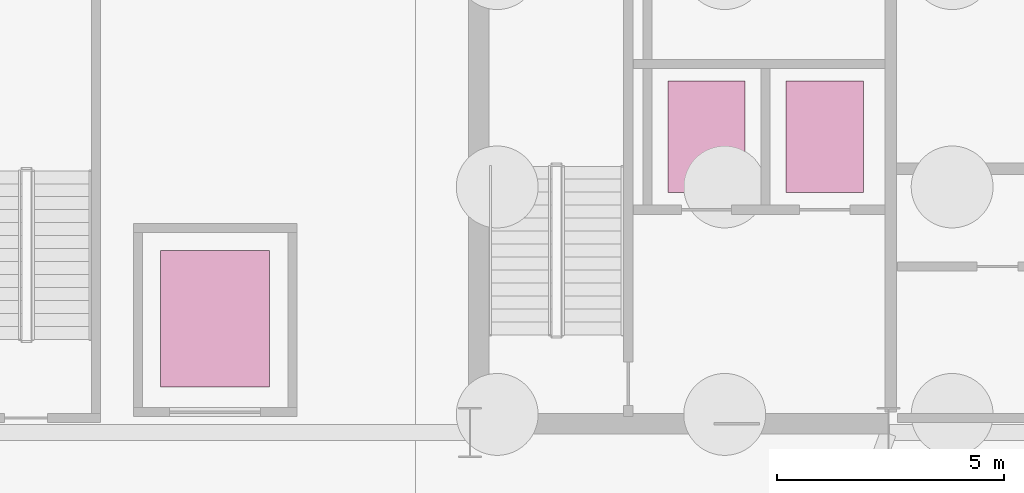
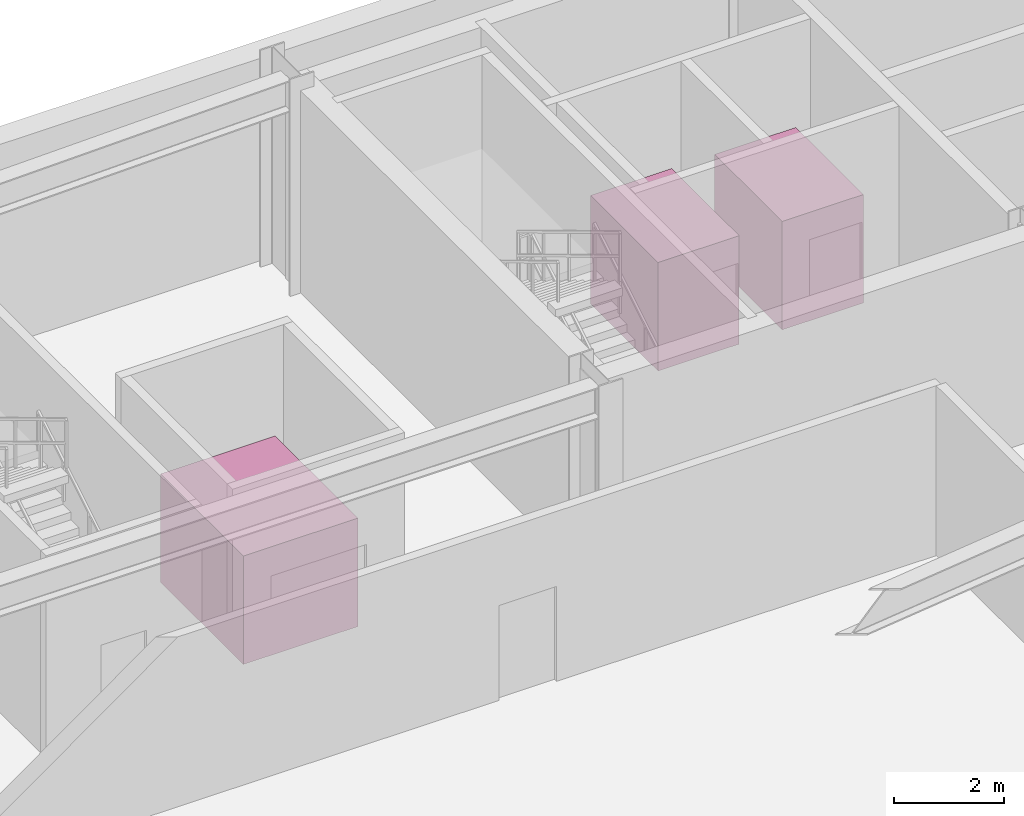
# One storey, part 12 of 12: 3 transport elements.
"""IFC4 building model written with IfcOpenShell, lengths in metres."""

from ifc_helpers import new_model, si_unit, direction, frame, origin, origin_2d, place, context, subcontext, project, spatial, rectangle, extrude, source, transform, mapped, material, type_object, type_shapes, element, save


model = new_model("IFC4")

# Units and contexts
model_context = context("Model", 3, precision=1e-05, world=origin(), true_north=direction((0.0, 1.0)))
body_context = subcontext(model_context, "Body", "Model", "MODEL_VIEW")
ifc_project = project(units=[si_unit("LENGTHUNIT", "METRE"), si_unit("AREAUNIT", "SQUARE_METRE"), si_unit("VOLUMEUNIT", "CUBIC_METRE"), si_unit("PLANEANGLEUNIT", "RADIAN"), si_unit("MASSUNIT", "GRAM", prefix="KILO")], contexts=[model_context])

# Site, building, storey
site_placement = place(None, origin())
site = spatial("IfcSite", under=ifc_project, at=site_placement, CompositionType="ELEMENT")
building_placement = place(site_placement, origin())
building = spatial("IfcBuilding", under=site, at=building_placement, Name="Varnel Quay Broadcast Tower", CompositionType="ELEMENT")
storey_placement = place(building_placement, frame((0.0, 0.0, -9.60009765625)))
storey = spatial("IfcBuildingStorey", under=building, at=storey_placement, Name="B2", CompositionType="ELEMENT", Elevation=-9.60009765625)

# Transport elements
ifc_material = material(Name="Brushed Bronze-Stainless Lift Car & Sliding Doors")
transport_element_type_1 = type_object("IfcTransportElementType", Name="Lift_Firefighter2000", PredefinedType="ELEVATOR", material=ifc_material)
shared_shape_1 = source(origin(), body_context, "Body", "SweptSolid", [
    extrude(rectangle(XDim=1.699951171875, YDim=2.449951171875, at=origin_2d()), origin(), (0.0, 0.0, 1.0), 2.39990234375),
])
type_shapes(transport_element_type_1, [shared_shape_1])
for number, where, z_axis, x_axis, name in (
    (1, (20.800048828125, 42.10009765625, 0.000244140625), (0.0, 0.0, 1.0), (1.0, 0.0, 0.0), "Elevator FE-01"),
    (2, (23.39990234375, 42.10009765625, 0.000244140625), (0.0, 0.0, 1.0), (1.0, 0.0, 0.0), "Elevator FE-02"),
):
    element("IfcTransportElement", number, at=place(storey_placement, frame(where, z_axis=z_axis, x_axis=x_axis)), inside=storey, type_object=transport_element_type_1, Name=name, PredefinedType="ELEVATOR", context=body_context, shape_type="MappedRepresentation", body=[
        mapped(shared_shape_1, transform((0.0, 0.0, 0.0), x_axis=(1.0, 0.0, 0.0), y_axis=(0.0, 1.0, 0.0), z_axis=(0.0, 0.0, 1.0), scale=1.0)),
    ])
transport_element_type_2 = type_object("IfcTransportElementType", Name="Lift_Freight3500", PredefinedType="ELEVATOR", material=ifc_material)
shared_shape_2 = source(origin(), body_context, "Body", "SweptSolid", [
    extrude(rectangle(XDim=2.39990234375, YDim=3.0, at=origin_2d()), origin(), (0.0, 0.0, 1.0), 2.39990234375),
])
type_shapes(transport_element_type_2, [shared_shape_2])
transport_element_placement = place(storey_placement, frame((10.0, 38.10009765625, 0.000244140625), z_axis=(0.0, 0.0, 1.0), x_axis=(1.0, 0.0, 0.0)))
element("IfcTransportElement", 3, at=transport_element_placement, inside=storey, type_object=transport_element_type_2, Name="Elevator BF-01", PredefinedType="ELEVATOR", context=body_context, shape_type="MappedRepresentation", body=[
    mapped(shared_shape_2, transform((0.0, 0.0, 0.0), x_axis=(1.0, 0.0, 0.0), y_axis=(0.0, 1.0, 0.0), z_axis=(0.0, 0.0, 1.0), scale=1.0)),
])

save(model, "model.ifc")
